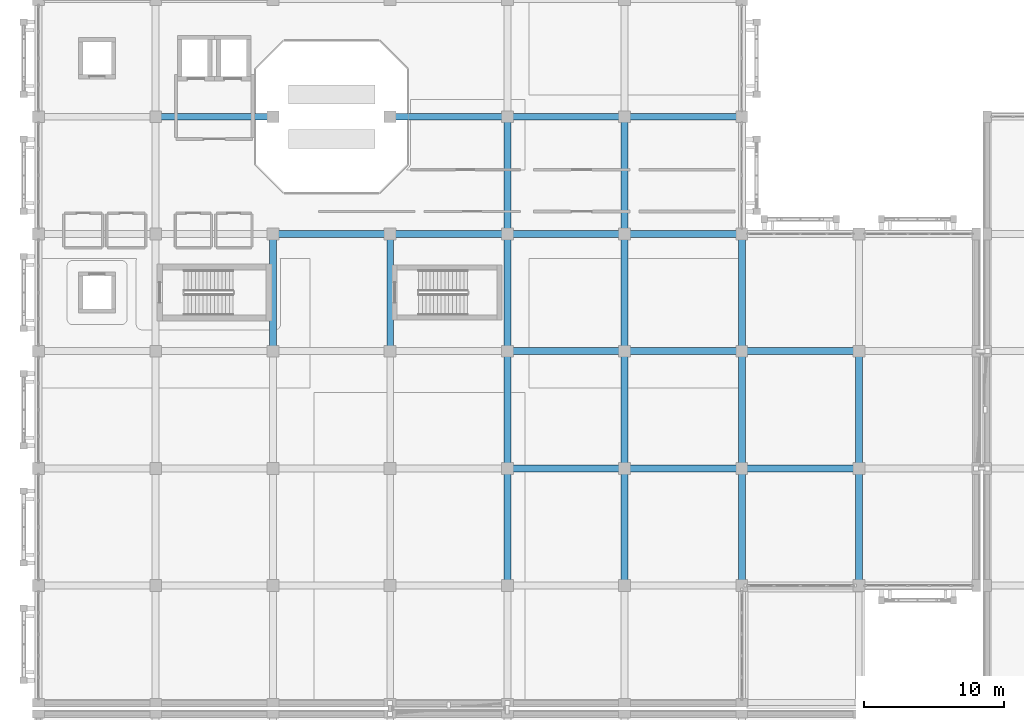
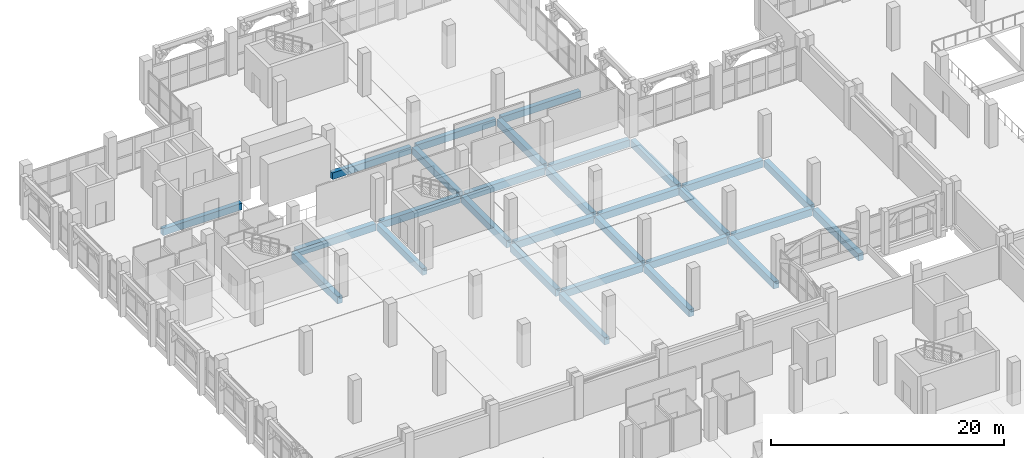
# One storey, part 53 of 137: 29 beams.
"""IFC4 building model written with IfcOpenShell, lengths in metres."""

from ifc_helpers import new_model, si_unit, direction, frame, origin, origin_2d, place, context, subcontext, project, spatial, rectangle, extrude, material, material_profile, profile_set, type_object, element, save


model = new_model("IFC4")

# Units and contexts
model_context = context("Model", 3, precision=1e-05, world=origin(), true_north=direction((0.0, 1.0)))
body_context = subcontext(model_context, "Body", "Model", "MODEL_VIEW")
ifc_project = project(units=[si_unit("LENGTHUNIT", "METRE"), si_unit("AREAUNIT", "SQUARE_METRE"), si_unit("VOLUMEUNIT", "CUBIC_METRE"), si_unit("PLANEANGLEUNIT", "RADIAN"), si_unit("MASSUNIT", "GRAM", prefix="KILO")], contexts=[model_context])

# Site, building, storey
site_placement = place(None, origin())
site = spatial("IfcSite", under=ifc_project, at=site_placement, CompositionType="ELEMENT")
building_placement = place(site_placement, origin())
building = spatial("IfcBuilding", under=site, at=building_placement, Name="Xazarin Passage Department Store", CompositionType="ELEMENT")
storey_placement = place(building_placement, frame((0.0, 0.0, 5.39990234375)))
storey = spatial("IfcBuildingStorey", under=building, at=storey_placement, Name="L01", CompositionType="ELEMENT", Elevation=5.39990234375)

# Beams
ifc_material = material(Name="Concrete C35/45", Category="concrete")
ifc_material_profile_1 = material_profile(ifc_material, rectangle(XDim=0.449951171875, YDim=0.699951171875, at=origin_2d()), Name="RC 450x700")
ifc_profile_set_1 = profile_set([ifc_material_profile_1], Name="Concrete C35/45")
beam_type_1 = type_object("IfcBeamType", Name="STR-BM-G450x700", PredefinedType="BEAM", material=ifc_profile_set_1)
for number, where, z_axis, x_axis, name in (
    (1, (8.679931640625, 93.199951171875, -0.64990234375), (1.0, 0.0, 0.0), (0.0, 1.0, 0.0), "L01 Grid Beam N/2-3"),
    (2, (25.47998046875, 93.199951171875, -0.64990234375), (1.0, 0.0, 0.0), (0.0, 1.0, 0.0), "L01 Grid Beam N/4-5"),
    (3, (33.8798828125, 93.199951171875, -0.64990234375), (1.0, 0.0, 0.0), (0.0, 1.0, 0.0), "L01 Grid Beam N/5-6"),
    (4, (42.280029296875, 93.199951171875, -0.64990234375), (1.0, 0.0, 0.0), (0.0, 1.0, 0.0), "L01 Grid Beam N/6-7"),
    (5, (25.199951171875, 76.679931640625, -0.64990234375), (0.0, 1.0, 0.0), (-1.0, 0.0, 0.0), "L01 Grid Beam 4/L-M"),
):
    element("IfcBeam", number, at=place(storey_placement, frame(where, z_axis=z_axis, x_axis=x_axis)), inside=storey, type_object=beam_type_1, Name=name, PredefinedType="BEAM", context=body_context, shape_type="SweptSolid", body=[
        extrude(rectangle(XDim=0.449951171875, YDim=0.699951171875, at=origin_2d()), origin(), (0.0, 0.0, 1.0), 7.840087890625),
    ])
ifc_material_profile_2 = material_profile(ifc_material, rectangle(XDim=0.5, YDim=0.75, at=origin_2d()), Name="RC 500x750")
ifc_profile_set_2 = profile_set([ifc_material_profile_2], Name="Concrete C35/45")
beam_type_2 = type_object("IfcBeamType", Name="STR-BM-SP500x750", PredefinedType="SPANDREL", material=ifc_profile_set_2)
for number, where, z_axis, x_axis, name in (
    (6, (33.8798828125, 68.0, -0.6748046875), (1.0, 0.0, 0.0), (0.0, 1.0, 0.0), "L01 Grid Beam K/5-6"),
    (7, (42.280029296875, 68.0, -0.6748046875), (1.0, 0.0, 0.0), (0.0, 1.0, 0.0), "L01 Grid Beam K/6-7"),
    (8, (50.679931640625, 68.0, -0.6748046875), (1.0, 0.0, 0.0), (0.0, 1.0, 0.0), "L01 Grid Beam K/7-8"),
    (9, (33.8798828125, 76.39990234375, -0.6748046875), (1.0, 0.0, 0.0), (0.0, 1.0, 0.0), "L01 Grid Beam L/5-6"),
    (10, (42.280029296875, 76.39990234375, -0.6748046875), (1.0, 0.0, 0.0), (0.0, 1.0, 0.0), "L01 Grid Beam L/6-7"),
    (11, (50.679931640625, 76.39990234375, -0.6748046875), (1.0, 0.0, 0.0), (0.0, 1.0, 0.0), "L01 Grid Beam L/7-8"),
):
    element("IfcBeam", number, at=place(storey_placement, frame(where, z_axis=z_axis, x_axis=x_axis)), inside=storey, type_object=beam_type_2, Name=name, PredefinedType="SPANDREL", context=body_context, shape_type="SweptSolid", body=[
        extrude(rectangle(XDim=0.5, YDim=0.75, at=origin_2d()), origin(), (0.0, 0.0, 1.0), 7.840087890625),
    ])
beam_1_placement = place(storey_placement, frame((17.080078125, 84.800048828125, -0.6748046875), z_axis=(1.0, 0.0, 0.0), x_axis=(0.0, 1.0, 0.0)))
element("IfcBeam", 12, at=beam_1_placement, inside=storey, type_object=beam_type_2, Name="L01 Grid Beam M/3-4", PredefinedType="SPANDREL", context=body_context, shape_type="SweptSolid", body=[
    extrude(rectangle(XDim=0.5, YDim=0.75, at=origin_2d()), origin(), (0.0, 0.0, 1.0), 7.83984375),
])
for number, where, z_axis, x_axis, name in (
    (13, (25.47998046875, 84.800048828125, -0.6748046875), (1.0, 0.0, 0.0), (0.0, 1.0, 0.0), "L01 Grid Beam M/4-5"),
    (14, (33.8798828125, 84.800048828125, -0.6748046875), (1.0, 0.0, 0.0), (0.0, 1.0, 0.0), "L01 Grid Beam M/5-6"),
    (15, (42.280029296875, 84.800048828125, -0.6748046875), (1.0, 0.0, 0.0), (0.0, 1.0, 0.0), "L01 Grid Beam M/6-7"),
    (16, (16.800048828125, 76.679931640625, -0.6748046875), (0.0, 1.0, 0.0), (-1.0, 0.0, 0.0), "L01 Grid Beam 3/L-M"),
    (17, (33.60009765625, 59.8798828125, -0.6748046875), (0.0, 1.0, 0.0), (-1.0, 0.0, 0.0), "L01 Grid Beam 5/J-K"),
    (18, (33.60009765625, 68.280029296875, -0.6748046875), (0.0, 1.0, 0.0), (-1.0, 0.0, 0.0), "L01 Grid Beam 5/K-L"),
    (19, (33.60009765625, 76.679931640625, -0.6748046875), (0.0, 1.0, 0.0), (-1.0, 0.0, 0.0), "L01 Grid Beam 5/L-M"),
):
    element("IfcBeam", number, at=place(storey_placement, frame(where, z_axis=z_axis, x_axis=x_axis)), inside=storey, type_object=beam_type_2, Name=name, PredefinedType="SPANDREL", context=body_context, shape_type="SweptSolid", body=[
        extrude(rectangle(XDim=0.5, YDim=0.75, at=origin_2d()), origin(), (0.0, 0.0, 1.0), 7.840087890625),
    ])
beam_2_placement = place(storey_placement, frame((33.60009765625, 85.080078125, -0.6748046875), z_axis=(0.0, 1.0, 0.0), x_axis=(-1.0, 0.0, 0.0)))
element("IfcBeam", 20, at=beam_2_placement, inside=storey, type_object=beam_type_2, Name="L01 Grid Beam 5/M-N", PredefinedType="SPANDREL", context=body_context, shape_type="SweptSolid", body=[
    extrude(rectangle(XDim=0.5, YDim=0.75, at=origin_2d()), origin(), (0.0, 0.0, 1.0), 7.83984375),
])
for number, where, z_axis, x_axis, name in (
    (21, (42.0, 59.8798828125, -0.6748046875), (0.0, 1.0, 0.0), (-1.0, 0.0, 0.0), "L01 Grid Beam 6/J-K"),
    (22, (42.0, 68.280029296875, -0.6748046875), (0.0, 1.0, 0.0), (-1.0, 0.0, 0.0), "L01 Grid Beam 6/K-L"),
    (23, (42.0, 76.679931640625, -0.6748046875), (0.0, 1.0, 0.0), (-1.0, 0.0, 0.0), "L01 Grid Beam 6/L-M"),
):
    element("IfcBeam", number, at=place(storey_placement, frame(where, z_axis=z_axis, x_axis=x_axis)), inside=storey, type_object=beam_type_2, Name=name, PredefinedType="SPANDREL", context=body_context, shape_type="SweptSolid", body=[
        extrude(rectangle(XDim=0.5, YDim=0.75, at=origin_2d()), origin(), (0.0, 0.0, 1.0), 7.840087890625),
    ])
beam_3_placement = place(storey_placement, frame((42.0, 85.080078125, -0.6748046875), z_axis=(0.0, 1.0, 0.0), x_axis=(-1.0, 0.0, 0.0)))
element("IfcBeam", 24, at=beam_3_placement, inside=storey, type_object=beam_type_2, Name="L01 Grid Beam 6/M-N", PredefinedType="SPANDREL", context=body_context, shape_type="SweptSolid", body=[
    extrude(rectangle(XDim=0.5, YDim=0.75, at=origin_2d()), origin(), (0.0, 0.0, 1.0), 7.83984375),
])
for number, where, z_axis, x_axis, name in (
    (25, (50.39990234375, 59.8798828125, -0.6748046875), (0.0, 1.0, 0.0), (-1.0, 0.0, 0.0), "L01 Grid Beam 7/J-K"),
    (26, (50.39990234375, 68.280029296875, -0.6748046875), (0.0, 1.0, 0.0), (-1.0, 0.0, 0.0), "L01 Grid Beam 7/K-L"),
    (27, (50.39990234375, 76.679931640625, -0.6748046875), (0.0, 1.0, 0.0), (-1.0, 0.0, 0.0), "L01 Grid Beam 7/L-M"),
    (28, (58.800048828125, 59.8798828125, -0.6748046875), (0.0, 1.0, 0.0), (-1.0, 0.0, 0.0), "L01 Grid Beam 8/J-K"),
    (29, (58.800048828125, 68.280029296875, -0.6748046875), (0.0, 1.0, 0.0), (-1.0, 0.0, 0.0), "L01 Grid Beam 8/K-L"),
):
    element("IfcBeam", number, at=place(storey_placement, frame(where, z_axis=z_axis, x_axis=x_axis)), inside=storey, type_object=beam_type_2, Name=name, PredefinedType="SPANDREL", context=body_context, shape_type="SweptSolid", body=[
        extrude(rectangle(XDim=0.5, YDim=0.75, at=origin_2d()), origin(), (0.0, 0.0, 1.0), 7.840087890625),
    ])

save(model, "model.ifc")
